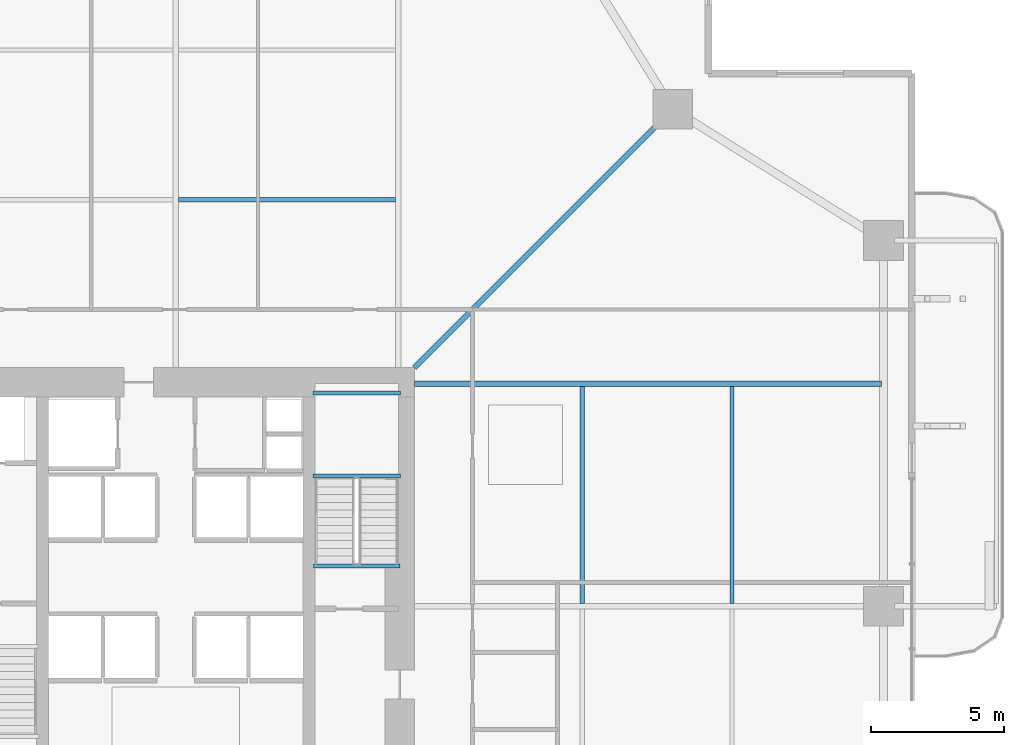
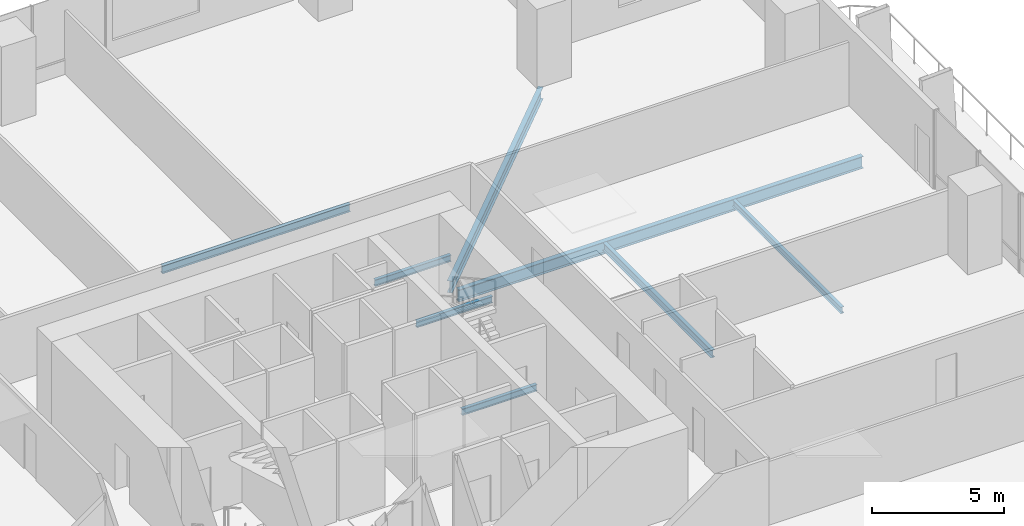
# One storey, part 12 of 24: 8 beams.
"""IFC4 building model written with IfcOpenShell, lengths in metres."""

from ifc_helpers import new_model, si_unit, direction, frame, origin, origin_2d, place, context, subcontext, project, spatial, i_section, extrude, material, material_profile, profile_set, type_object, element, save


model = new_model("IFC4")

# Units and contexts
model_context = context("Model", 3, precision=1e-05, world=origin(), true_north=direction((0.0, 1.0)))
body_context = subcontext(model_context, "Body", "Model", "MODEL_VIEW")
ifc_project = project(units=[si_unit("LENGTHUNIT", "METRE"), si_unit("AREAUNIT", "SQUARE_METRE"), si_unit("VOLUMEUNIT", "CUBIC_METRE"), si_unit("PLANEANGLEUNIT", "RADIAN"), si_unit("MASSUNIT", "GRAM", prefix="KILO")], contexts=[model_context])

# Site, building, storey
site_placement = place(None, origin())
site = spatial("IfcSite", under=ifc_project, at=site_placement, CompositionType="ELEMENT")
building_placement = place(site_placement, origin())
building = spatial("IfcBuilding", under=site, at=building_placement, Name="Belovzor Exchange Tower", CompositionType="ELEMENT")
storey_placement = place(building_placement, frame((0.0, 0.0, 72.89990234375)))
storey = spatial("IfcBuildingStorey", under=building, at=storey_placement, Name="L17", CompositionType="ELEMENT", Elevation=72.89990234375)

# Beams
ifc_material_1 = material(Name="Steel S355", Category="steel")
ifc_material_profile_1 = material_profile(ifc_material_1, i_section(OverallWidth=0.169921875, OverallDepth=0.360107421875, WebThickness=0.008056640625, FlangeThickness=0.0126953125, at=origin_2d()))
ifc_profile_set_1 = profile_set([ifc_material_profile_1], Name="Steel S355")
beam_type_1 = type_object("IfcBeamType", Name="Secondary Infill Floor Joist IPE 360", PredefinedType="BEAM", material=ifc_profile_set_1)
for number, where, z_axis, x_axis, name in (
    (1, (28.905029296875, 44.14501953125, -0.429931640625), (1.0, 0.0, 0.0), (0.0, 1.0, 0.0), "FJ-360 Secondary Infill Floor Joist IPE 360"),
    (2, (44.14501953125, 28.905029296875, -0.429931640625), (0.0, 1.0, 0.0), (-1.0, 0.0, 0.0), "FJ-360 Secondary Infill Floor Joist IPE 360"),
):
    element("IfcBeam", number, at=place(storey_placement, frame(where, z_axis=z_axis, x_axis=x_axis)), inside=storey, type_object=beam_type_1, Name=name, PredefinedType="BEAM", context=body_context, shape_type="SweptSolid", body=[
        extrude(i_section(OverallWidth=0.169921875, OverallDepth=0.360107421875, WebThickness=0.008056640625, FlangeThickness=0.0126953125, at=origin_2d()), origin(), (0.0, 0.0, 1.0), 8.18994140625),
    ])
ifc_material_2 = material(Name="Steel S355", Category="steel")
ifc_material_profile_2 = material_profile(ifc_material_2, i_section(OverallWidth=0.14990234375, OverallDepth=0.300048828125, WebThickness=0.007080078125, FlangeThickness=0.0107421875, at=origin_2d()))
ifc_profile_set_2 = profile_set([ifc_material_profile_2], Name="Steel S355")
beam_type_2 = type_object("IfcBeamType", Name="Secondary Trim Floor Joist IPE 300", PredefinedType="BEAM", material=ifc_profile_set_2)
for number, where, z_axis, x_axis, name in (
    (3, (37.280029296875, 33.7099609375, 1.60009765625), (-1.0, 0.0, 0.0), (0.0, -1.0, 0.0), "FJ-300 Secondary Trim Floor Joist IPE 300"),
    (4, (37.280029296875, 36.85009765625, 1.60009765625), (-1.0, 0.0, 0.0), (0.0, -1.0, 0.0), "FJ-300 Secondary Trim Floor Joist IPE 300"),
):
    element("IfcBeam", number, at=place(storey_placement, frame(where, z_axis=z_axis, x_axis=x_axis)), inside=storey, type_object=beam_type_2, Name=name, PredefinedType="BEAM", context=body_context, shape_type="SweptSolid", body=[
        extrude(i_section(OverallWidth=0.14990234375, OverallDepth=0.300048828125, WebThickness=0.007080078125, FlangeThickness=0.0107421875, at=origin_2d()), origin(), (0.0, 0.0, 1.0), 3.31005859375),
    ])
beam_1_placement = place(storey_placement, frame((37.260009765625, 30.320068359375, -0.39990234375), z_axis=(-1.0, 0.0, 0.0), x_axis=(0.0, -1.0, 0.0)))
element("IfcBeam", 5, at=beam_1_placement, inside=storey, type_object=beam_type_2, Name="FJ-300 Secondary Trim Floor Joist IPE 300", PredefinedType="BEAM", context=body_context, shape_type="SweptSolid", body=[
    extrude(i_section(OverallWidth=0.14990234375, OverallDepth=0.300048828125, WebThickness=0.007080078125, FlangeThickness=0.0107421875, at=origin_2d()), origin(), (0.0, 0.0, 1.0), 3.27001953125),
])
beam_2_placement = place(storey_placement, frame((49.784912109375, 28.905029296875, -0.39990234375), z_axis=(0.0, 1.0, 0.0), x_axis=(-1.0, 0.0, 0.0)))
element("IfcBeam", 6, at=beam_2_placement, inside=storey, type_object=beam_type_2, Name="FJ-300 Secondary Trim Floor Joist IPE 300", PredefinedType="BEAM", context=body_context, shape_type="SweptSolid", body=[
    extrude(i_section(OverallWidth=0.14990234375, OverallDepth=0.300048828125, WebThickness=0.007080078125, FlangeThickness=0.0107421875, at=origin_2d()), origin(), (0.0, 0.0, 1.0), 8.18994140625),
])
ifc_material_3 = material(Name="Steel S355", Category="steel")
ifc_material_profile_3 = material_profile(ifc_material_3, i_section(OverallWidth=0.2099609375, OverallDepth=0.550048828125, WebThickness=0.010986328125, FlangeThickness=0.01708984375, at=origin_2d()))
ifc_profile_set_3 = profile_set([ifc_material_profile_3], Name="Steel S355")
beam_type_3 = type_object("IfcBeamType", Name="Zone 1 Radial Composite Floor Beam IPE 550", PredefinedType="BEAM", material=ifc_profile_set_3)
beam_3_placement = place(storey_placement, frame((37.800048828125, 37.199951171875, -0.52490234375), z_axis=(1.0, 0.0, 0.0), x_axis=(0.0, 1.0, 0.0)))
element("IfcBeam", 7, at=beam_3_placement, inside=storey, type_object=beam_type_3, Name="FB-550 Zone 1 Radial Composite Floor Beam IPE 550", PredefinedType="BEAM", context=body_context, shape_type="SweptSolid", body=[
    extrude(i_section(OverallWidth=0.2099609375, OverallDepth=0.550048828125, WebThickness=0.010986328125, FlangeThickness=0.01708984375, at=origin_2d()), origin(), (0.0, 0.0, 1.0), 17.625),
])
beam_4_placement = place(storey_placement, frame((37.800048828125, 37.800048828125, -0.52490234375), z_axis=(0.707106781187, 0.707106781187, 0.0), x_axis=(-0.707106781187, 0.707106781187, 0.0)))
element("IfcBeam", 8, at=beam_4_placement, inside=storey, type_object=beam_type_3, Name="FB-550 Zone 1 Radial Composite Floor Beam IPE 550", PredefinedType="BEAM", context=body_context, shape_type="SweptSolid", body=[
    extrude(i_section(OverallWidth=0.2099609375, OverallDepth=0.550048828125, WebThickness=0.010986328125, FlangeThickness=0.01708984375, at=origin_2d()), origin(), (0.0, 0.0, 1.0), 13.25830078125),
])

save(model, "model.ifc")
